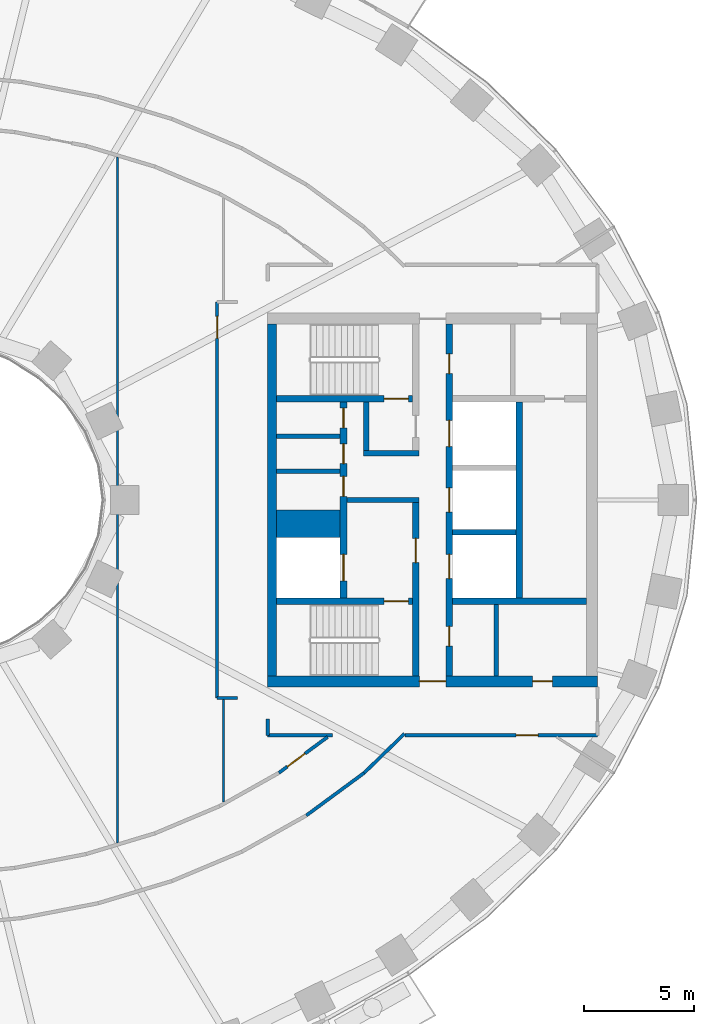
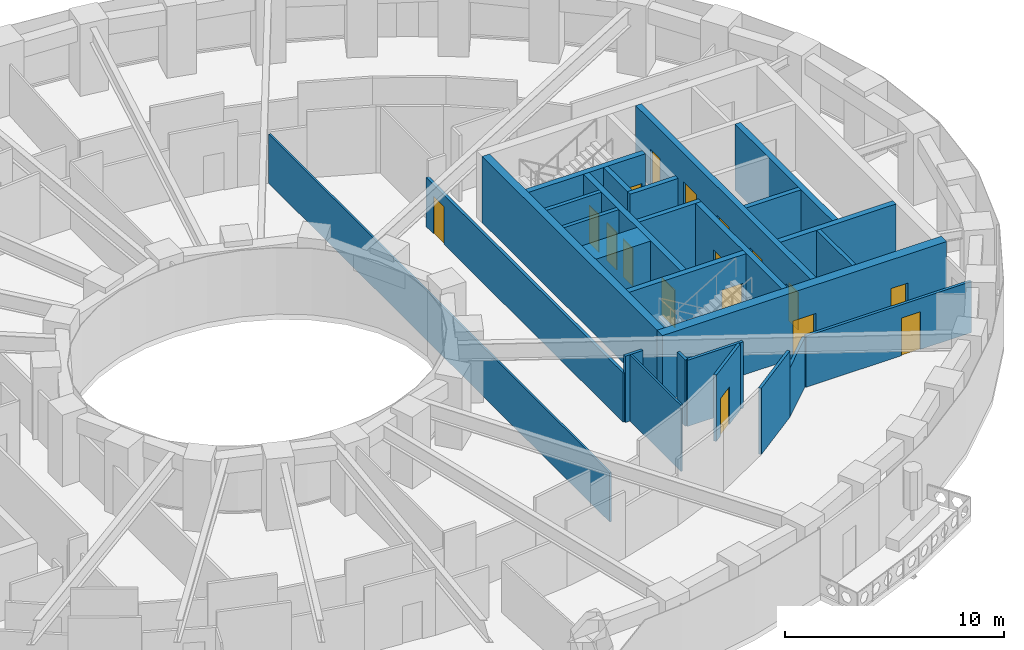
# One storey, part 5 of 16: 27 walls, 17 doors, 17 openings.
"""IFC4 building model written with IfcOpenShell, lengths in metres."""

from ifc_helpers import new_model, si_unit, direction, frame, frame_2d, origin, place, context, subcontext, project, spatial, rectangle, extrude, material, layer, layer_set, type_object, element, fill, save


model = new_model("IFC4")

# Units and contexts
model_context = context("Model", 3, precision=1e-05, world=origin(), true_north=direction((0.0, 1.0)))
body_context = subcontext(model_context, "Body", "Model", "MODEL_VIEW")
ifc_project = project(units=[si_unit("LENGTHUNIT", "METRE"), si_unit("AREAUNIT", "SQUARE_METRE"), si_unit("VOLUMEUNIT", "CUBIC_METRE"), si_unit("PLANEANGLEUNIT", "RADIAN"), si_unit("MASSUNIT", "GRAM", prefix="KILO")], contexts=[model_context])

# Site, building, storey
site_placement = place(None, origin())
site = spatial("IfcSite", under=ifc_project, at=site_placement, CompositionType="ELEMENT")
building_placement = place(site_placement, origin())
building = spatial("IfcBuilding", under=site, at=building_placement, Name="Noorbagh Ring Tower", CompositionType="ELEMENT")
storey_placement = place(building_placement, frame((0.0, 0.0, 74.5)))
storey = spatial("IfcBuildingStorey", under=building, at=storey_placement, Name="L16", CompositionType="ELEMENT", Elevation=74.5)

# Walls
ifc_material_1 = material(Name="Gypsum board on steel studs", Category="steel")
ifc_layer_1 = layer(ifc_material_1, 0.199951171875)
ifc_layer_set_1 = layer_set([ifc_layer_1], Name="Gypsum board on steel studs")
wall_type_1 = type_object("IfcWallType", Name="CORE-PARTITION-200", PredefinedType="PARTITIONING", material=ifc_layer_set_1)
for number, where, z_axis, x_axis, name in (
    (1, (16.89990234375, 1.300048828125, 0.0), (0.0, 0.0, 1.0), (1.0, 0.0, 0.0), "Core partition E"),
    (2, (16.89990234375, 2.89990234375, 0.0), (0.0, 0.0, 1.0), (1.0, 0.0, 0.0), "Core partition E"),
):
    element("IfcWall", number, at=place(storey_placement, frame(where, z_axis=z_axis, x_axis=x_axis)), inside=storey, type_object=wall_type_1, Name=name, PredefinedType="PARTITIONING", context=body_context, shape_type="SweptSolid", body=[
        extrude(rectangle(XDim=2.900146484375, YDim=0.199951171875, at=frame_2d((1.4501953125, 0.0))), origin(), (0.0, 0.0, 1.0), 3.699951171875),
    ])
wall_1_placement = place(storey_placement, frame((26.89990234375, -8.0, 0.0), z_axis=(0.0, 0.0, 1.0), x_axis=(0.0, 1.0, 0.0)))
element("IfcWall", 3, at=wall_1_placement, inside=storey, type_object=wall_type_1, Name="Core partition E", PredefinedType="PARTITIONING", context=body_context, shape_type="SweptSolid", body=[
    extrude(rectangle(XDim=3.25, YDim=0.199951171875, at=frame_2d((1.625, 0.0))), origin(), (0.0, 0.0, 1.0), 3.699951171875),
])
ifc_material_2 = material(Name="Concrete C70/85", Category="concrete")
ifc_layer_2 = layer(ifc_material_2, 1.25)
ifc_layer_set_2 = layer_set([ifc_layer_2], Name="Concrete C70/85")
wall_type_2 = type_object("IfcWallType", Name="CORE-WALL-1250-C70-85-EI120", PredefinedType="SHEAR", material=ifc_layer_set_2)
wall_2_placement = place(storey_placement, frame((16.89990234375, -1.074951171875, 0.0), z_axis=(0.0, 0.0, 1.0), x_axis=(1.0, 0.0, 0.0)))
element("IfcWall", 4, at=wall_2_placement, inside=storey, type_object=wall_type_2, Name="Core wall E", PredefinedType="SHEAR", context=body_context, shape_type="SweptSolid", body=[
    extrude(rectangle(XDim=2.900146484375, YDim=1.25, at=frame_2d((1.4501953125, 0.0))), origin(), (0.0, 0.0, 1.0), 3.699951171875),
])
ifc_material_3 = material(Name="Concrete C70/85", Category="concrete")
ifc_layer_3 = layer(ifc_material_3, 0.25)
ifc_layer_set_3 = layer_set([ifc_layer_3], Name="Concrete C70/85")
wall_type_3 = type_object("IfcWallType", Name="CORE-WALL-250-C70-85-EI120", PredefinedType="SHEAR", material=ifc_layer_set_3)
wall_3_placement = place(storey_placement, frame((24.89990234375, -1.47509765625, 0.0), z_axis=(0.0, 0.0, 1.0), x_axis=(1.0, 0.0, 0.0)))
element("IfcWall", 5, at=wall_3_placement, inside=storey, type_object=wall_type_3, Name="Core wall E", PredefinedType="SHEAR", context=body_context, shape_type="SweptSolid", body=[
    extrude(rectangle(XDim=2.900146484375, YDim=0.25, at=frame_2d((1.4501953125, 0.0))), origin(), (0.0, 0.0, 1.0), 3.699951171875),
])
ifc_material_4 = material(Name="Concrete C70/85", Category="concrete")
ifc_layer_4 = layer(ifc_material_4, 0.25)
ifc_layer_set_4 = layer_set([ifc_layer_4], Name="Concrete C70/85")
wall_type_4 = type_object("IfcWallType", Name="CORE-WALL-250-C70-85-EI240", PredefinedType="SHEAR", material=ifc_layer_set_4)
wall_4_placement = place(storey_placement, frame((20.10009765625, 0.0, 0.0), z_axis=(0.0, 0.0, 1.0), x_axis=(1.0, 0.0, 0.0)))
element("IfcWall", 6, at=wall_4_placement, inside=storey, type_object=wall_type_4, Name="Core wall E", PredefinedType="SHEAR", context=body_context, shape_type="SweptSolid", body=[
    extrude(rectangle(XDim=3.27978515625, YDim=0.25, at=frame_2d((1.639892578125, 0.0))), origin(), (0.0, 0.0, 1.0), 3.699951171875),
])
wall_5_placement = place(storey_placement, frame((20.85009765625, 2.125, 0.0), z_axis=(0.0, 0.0, 1.0), x_axis=(1.0, 0.0, 0.0)))
element("IfcWall", 7, at=wall_5_placement, inside=storey, type_object=wall_type_4, Name="Core wall E", PredefinedType="SHEAR", context=body_context, shape_type="SweptSolid", body=[
    extrude(rectangle(XDim=2.52978515625, YDim=0.25, at=frame_2d((1.264892578125, 0.0))), origin(), (0.0, 0.0, 1.0), 3.699951171875),
])
wall_6_placement = place(storey_placement, frame((20.97509765625, 2.25, 0.0), z_axis=(0.0, 0.0, 1.0), x_axis=(0.0, 1.0, 0.0)))
element("IfcWall", 8, at=wall_6_placement, inside=storey, type_object=wall_type_4, Name="Core wall E", PredefinedType="SHEAR", context=body_context, shape_type="SweptSolid", body=[
    extrude(rectangle(XDim=2.199951171875, YDim=0.25, at=frame_2d((1.10009765625, 0.0))), origin(), (0.0, 0.0, 1.0), 3.699951171875),
])
ifc_material_5 = material(Name="Concrete C70/85", Category="concrete")
ifc_layer_5 = layer(ifc_material_5, 0.300048828125)
ifc_layer_set_5 = layer_set([ifc_layer_5], Name="Concrete C70/85")
wall_type_5 = type_object("IfcWallType", Name="CORE-WALL-300-C70-85-EI120", PredefinedType="SHEAR", material=ifc_layer_set_5)
wall_7_placement = place(storey_placement, frame((27.949951171875, -4.449951171875, 0.0), z_axis=(0.0, 0.0, 1.0), x_axis=(0.0, 1.0, 0.0)))
element("IfcWall", 9, at=wall_7_placement, inside=storey, type_object=wall_type_5, Name="Core wall E", PredefinedType="SHEAR", context=body_context, shape_type="SweptSolid", body=[
    extrude(rectangle(XDim=8.89990234375, YDim=0.300048828125, at=frame_2d((4.449951171875, 0.0))), origin(), (0.0, 0.0, 1.0), 3.699951171875),
])

# Wall, openings, doors
wall_8_placement = place(storey_placement, frame((19.949951171875, -4.449951171875, 0.0), z_axis=(0.0, 0.0, 1.0), x_axis=(0.0, 1.0, 0.0)))
wall_8 = element("IfcWall", 10, at=wall_8_placement, inside=storey, type_object=wall_type_5, Name="Core wall E", PredefinedType="SHEAR", context=body_context, shape_type="SweptSolid", body=[
    extrude(rectangle(XDim=8.89990234375, YDim=0.300048828125, at=frame_2d((4.449951171875, 0.0))), origin(), (0.0, 0.0, 1.0), 3.699951171875),
])
opening_1_placement = place(wall_8_placement, frame((0.77490234375, 0.0, 0.0)))
opening_1 = element("IfcOpeningElement", 11, at=opening_1_placement, cuts=wall_8, Name="Opening L16-CE01", PredefinedType="OPENING", context=body_context, shape_type="SweptSolid", body=[
    extrude(rectangle(XDim=1.199951171875, YDim=2.10009765625, at=frame_2d((0.60009765625, 1.050048828125))), frame((0.0, 0.16015625, 0.0), z_axis=(0.0, -1.0, 0.0), x_axis=(1.0, 0.0, 0.0)), (0.0, 0.0, 1.0), 0.320068359375),
])
opening_2_placement = place(wall_8_placement, frame((4.6201171875, 0.0, 0.0)))
opening_2 = element("IfcOpeningElement", 12, at=opening_2_placement, cuts=wall_8, Name="Opening L16-CE11", PredefinedType="OPENING", context=body_context, shape_type="SweptSolid", body=[
    extrude(rectangle(XDim=0.89990234375, YDim=2.10009765625, at=frame_2d((0.449951171875, 1.050048828125))), frame((0.0, 0.16015625, 0.0), z_axis=(0.0, -1.0, 0.0), x_axis=(1.0, 0.0, 0.0)), (0.0, 0.0, 1.0), 0.320068359375),
])
opening_3_placement = place(wall_8_placement, frame((6.10009765625, 0.0, 0.0)))
opening_3 = element("IfcOpeningElement", 13, at=opening_3_placement, cuts=wall_8, Name="Opening L16-CE12", PredefinedType="OPENING", context=body_context, shape_type="SweptSolid", body=[
    extrude(rectangle(XDim=0.89990234375, YDim=2.10009765625, at=frame_2d((0.449951171875, 1.050048828125))), frame((0.0, 0.16015625, 0.0), z_axis=(0.0, -1.0, 0.0), x_axis=(1.0, 0.0, 0.0)), (0.0, 0.0, 1.0), 0.320068359375),
])
opening_4_placement = place(wall_8_placement, frame((7.72509765625, 0.0, 0.0)))
opening_4 = element("IfcOpeningElement", 14, at=opening_4_placement, cuts=wall_8, Name="Opening L16-CE13", PredefinedType="OPENING", context=body_context, shape_type="SweptSolid", body=[
    extrude(rectangle(XDim=0.89990234375, YDim=2.10009765625, at=frame_2d((0.449951171875, 1.050048828125))), frame((0.0, 0.16015625, 0.0), z_axis=(0.0, -1.0, 0.0), x_axis=(1.0, 0.0, 0.0)), (0.0, 0.0, 1.0), 0.320068359375),
])
ifc_material_6 = material(Name="Steel door leaf", Category="steel")
door_type_1 = type_object("IfcDoorType", Name="CORE-DOOR-DROOM", OperationType="SINGLE_SWING_LEFT", PredefinedType="DOOR", material=ifc_material_6)
door_1_placement = place(opening_2_placement, origin())
door_1 = element("IfcDoor", 15, at=door_1_placement, inside=storey, type_object=door_type_1, Name="Core room door L16-CE11", OperationType="SINGLE_SWING_LEFT", OverallHeight=2.10009765625, OverallWidth=0.89990234375, PredefinedType="DOOR", context=body_context, shape_type="SweptSolid", body=[
    extrude(rectangle(XDim=0.89990234375, YDim=2.10009765625, at=frame_2d((0.449951171875, 1.050048828125))), frame((0.0, 0.02490234375, 0.0), z_axis=(0.0, -1.0, 0.0), x_axis=(1.0, 0.0, 0.0)), (0.0, 0.0, 1.0), 0.050048828125),
])
fill(opening_2, door_1)
door_2_placement = place(opening_3_placement, origin())
door_2 = element("IfcDoor", 16, at=door_2_placement, inside=storey, type_object=door_type_1, Name="Core room door L16-CE12", OperationType="SINGLE_SWING_RIGHT", OverallHeight=2.10009765625, OverallWidth=0.89990234375, PredefinedType="DOOR", context=body_context, shape_type="SweptSolid", body=[
    extrude(rectangle(XDim=0.89990234375, YDim=2.10009765625, at=frame_2d((0.449951171875, 1.050048828125))), frame((0.0, 0.02490234375, 0.0), z_axis=(0.0, -1.0, 0.0), x_axis=(1.0, 0.0, 0.0)), (0.0, 0.0, 1.0), 0.050048828125),
])
fill(opening_3, door_2)
door_3_placement = place(opening_4_placement, origin())
door_3 = element("IfcDoor", 17, at=door_3_placement, inside=storey, type_object=door_type_1, Name="Core room door L16-CE13", OperationType="SINGLE_SWING_RIGHT", OverallHeight=2.10009765625, OverallWidth=0.89990234375, PredefinedType="DOOR", context=body_context, shape_type="SweptSolid", body=[
    extrude(rectangle(XDim=0.89990234375, YDim=2.10009765625, at=frame_2d((0.449951171875, 1.050048828125))), frame((0.0, 0.02490234375, 0.0), z_axis=(0.0, -1.0, 0.0), x_axis=(1.0, 0.0, 0.0)), (0.0, 0.0, 1.0), 0.050048828125),
])
fill(opening_4, door_3)
ifc_material_7 = material(Name="Steel door leaf", Category="steel")
door_type_2 = type_object("IfcDoorType", Name="CORE-DOOR-LDW", OperationType="DOUBLE_DOOR_SLIDING", PredefinedType="DOOR", material=ifc_material_7)
door_4_placement = place(opening_1_placement, origin())
door_4 = element("IfcDoor", 18, at=door_4_placement, inside=storey, type_object=door_type_2, Name="Landing door FF2 L16-CE01", OperationType="DOUBLE_DOOR_SLIDING", OverallHeight=2.10009765625, OverallWidth=1.199951171875, PredefinedType="DOOR", context=body_context, shape_type="SweptSolid", body=[
    extrude(rectangle(XDim=1.199951171875, YDim=2.10009765625, at=frame_2d((0.60009765625, 1.050048828125))), frame((0.0, 0.02490234375, 0.0), z_axis=(0.0, -1.0, 0.0), x_axis=(1.0, 0.0, 0.0)), (0.0, 0.0, 1.0), 0.050048828125),
])
fill(opening_1, door_4)

wall_9_placement = place(storey_placement, frame((24.75, -8.0, 0.0), z_axis=(0.0, 0.0, 1.0), x_axis=(0.0, 1.0, 0.0)))
wall_9 = element("IfcWall", 19, at=wall_9_placement, inside=storey, type_object=wall_type_5, Name="Core wall E", PredefinedType="SHEAR", context=body_context, shape_type="SweptSolid", body=[
    extrude(rectangle(XDim=16.0, YDim=0.300048828125, at=frame_2d((8.0, 0.0))), origin(), (0.0, 0.0, 1.0), 3.699951171875),
])
opening_5_placement = place(wall_9_placement, frame((4.425048828125, 0.0, 0.0)))
opening_5 = element("IfcOpeningElement", 20, at=opening_5_placement, cuts=wall_9, Name="Opening L16-CE02", PredefinedType="OPENING", context=body_context, shape_type="SweptSolid", body=[
    extrude(rectangle(XDim=1.10009765625, YDim=2.10009765625, at=frame_2d((0.550048828125, 1.050048828125))), frame((0.0, 0.16015625, 0.0), z_axis=(0.0, -1.0, 0.0), x_axis=(1.0, 0.0, 0.0)), (0.0, 0.0, 1.0), 0.320068359375),
])
opening_6_placement = place(wall_9_placement, frame((7.449951171875, 0.0, 0.0)))
opening_6 = element("IfcOpeningElement", 21, at=opening_6_placement, cuts=wall_9, Name="Opening L16-CE03", PredefinedType="OPENING", context=body_context, shape_type="SweptSolid", body=[
    extrude(rectangle(XDim=1.10009765625, YDim=2.10009765625, at=frame_2d((0.550048828125, 1.050048828125))), frame((0.0, 0.16015625, 0.0), z_axis=(0.0, -1.0, 0.0), x_axis=(1.0, 0.0, 0.0)), (0.0, 0.0, 1.0), 0.320068359375),
])
opening_7_placement = place(wall_9_placement, frame((10.425048828125, 0.0, 0.0)))
opening_7 = element("IfcOpeningElement", 22, at=opening_7_placement, cuts=wall_9, Name="Opening L16-CE04", PredefinedType="OPENING", context=body_context, shape_type="SweptSolid", body=[
    extrude(rectangle(XDim=1.199951171875, YDim=2.10009765625, at=frame_2d((0.60009765625, 1.050048828125))), frame((0.0, 0.16015625, 0.0), z_axis=(0.0, -1.0, 0.0), x_axis=(1.0, 0.0, 0.0)), (0.0, 0.0, 1.0), 0.320068359375),
])
opening_8_placement = place(wall_9_placement, frame((13.75, 0.0, 0.0)))
opening_8 = element("IfcOpeningElement", 23, at=opening_8_placement, cuts=wall_9, Name="Opening L16-CE14", PredefinedType="OPENING", context=body_context, shape_type="SweptSolid", body=[
    extrude(rectangle(XDim=0.89990234375, YDim=2.10009765625, at=frame_2d((0.449951171875, 1.050048828125))), frame((0.0, 0.16015625, 0.0), z_axis=(0.0, -1.0, 0.0), x_axis=(1.0, 0.0, 0.0)), (0.0, 0.0, 1.0), 0.320068359375),
])
opening_9_placement = place(wall_9_placement, frame((1.35009765625, 0.0, 0.0)))
opening_9 = element("IfcOpeningElement", 24, at=opening_9_placement, cuts=wall_9, Name="Opening L16-CE16", PredefinedType="OPENING", context=body_context, shape_type="SweptSolid", body=[
    extrude(rectangle(XDim=0.89990234375, YDim=2.10009765625, at=frame_2d((0.449951171875, 1.050048828125))), frame((0.0, 0.16015625, 0.0), z_axis=(0.0, -1.0, 0.0), x_axis=(1.0, 0.0, 0.0)), (0.0, 0.0, 1.0), 0.320068359375),
])
door_5_placement = place(opening_8_placement, origin())
door_5 = element("IfcDoor", 25, at=door_5_placement, inside=storey, type_object=door_type_1, Name="Core room door L16-CE14", OperationType="SINGLE_SWING_LEFT", OverallHeight=2.10009765625, OverallWidth=0.89990234375, PredefinedType="DOOR", context=body_context, shape_type="SweptSolid", body=[
    extrude(rectangle(XDim=0.89990234375, YDim=2.10009765625, at=frame_2d((0.449951171875, 1.050048828125))), frame((0.0, 0.02490234375, 0.0), z_axis=(0.0, -1.0, 0.0), x_axis=(1.0, 0.0, 0.0)), (0.0, 0.0, 1.0), 0.050048828125),
])
fill(opening_8, door_5)
door_6_placement = place(opening_9_placement, origin())
door_6 = element("IfcDoor", 26, at=door_6_placement, inside=storey, type_object=door_type_1, Name="Core room door L16-CE16", OperationType="SINGLE_SWING_RIGHT", OverallHeight=2.10009765625, OverallWidth=0.89990234375, PredefinedType="DOOR", context=body_context, shape_type="SweptSolid", body=[
    extrude(rectangle(XDim=0.89990234375, YDim=2.10009765625, at=frame_2d((0.449951171875, 1.050048828125))), frame((0.0, 0.02490234375, 0.0), z_axis=(0.0, -1.0, 0.0), x_axis=(1.0, 0.0, 0.0)), (0.0, 0.0, 1.0), 0.050048828125),
])
fill(opening_9, door_6)
ifc_material_8 = material(Name="Steel door leaf", Category="steel")
door_type_3 = type_object("IfcDoorType", Name="CORE-DOOR-LD", OperationType="DOUBLE_DOOR_SLIDING", PredefinedType="DOOR", material=ifc_material_8)
door_7_placement = place(opening_5_placement, origin())
door_7 = element("IfcDoor", 27, at=door_7_placement, inside=storey, type_object=door_type_3, Name="Landing door LR3 L16-CE02", OperationType="DOUBLE_DOOR_SLIDING", OverallHeight=2.10009765625, OverallWidth=1.10009765625, PredefinedType="DOOR", context=body_context, shape_type="SweptSolid", body=[
    extrude(rectangle(XDim=1.10009765625, YDim=2.10009765625, at=frame_2d((0.550048828125, 1.050048828125))), frame((0.0, 0.02490234375, 0.0), z_axis=(0.0, -1.0, 0.0), x_axis=(1.0, 0.0, 0.0)), (0.0, 0.0, 1.0), 0.050048828125),
])
fill(opening_5, door_7)
door_8_placement = place(opening_6_placement, origin())
door_8 = element("IfcDoor", 28, at=door_8_placement, inside=storey, type_object=door_type_3, Name="Landing door LR4 L16-CE03", OperationType="DOUBLE_DOOR_SLIDING", OverallHeight=2.10009765625, OverallWidth=1.10009765625, PredefinedType="DOOR", context=body_context, shape_type="SweptSolid", body=[
    extrude(rectangle(XDim=1.10009765625, YDim=2.10009765625, at=frame_2d((0.550048828125, 1.050048828125))), frame((0.0, 0.02490234375, 0.0), z_axis=(0.0, -1.0, 0.0), x_axis=(1.0, 0.0, 0.0)), (0.0, 0.0, 1.0), 0.050048828125),
])
fill(opening_6, door_8)
door_9_placement = place(opening_7_placement, origin())
door_9 = element("IfcDoor", 29, at=door_9_placement, inside=storey, type_object=door_type_2, Name="Landing door SV2 L16-CE04", OperationType="DOUBLE_DOOR_SLIDING", OverallHeight=2.10009765625, OverallWidth=1.199951171875, PredefinedType="DOOR", context=body_context, shape_type="SweptSolid", body=[
    extrude(rectangle(XDim=1.199951171875, YDim=2.10009765625, at=frame_2d((0.60009765625, 1.050048828125))), frame((0.0, 0.02490234375, 0.0), z_axis=(0.0, -1.0, 0.0), x_axis=(1.0, 0.0, 0.0)), (0.0, 0.0, 1.0), 0.050048828125),
])
fill(opening_7, door_9)

# Wall
ifc_material_9 = material(Name="Concrete C70/85", Category="concrete")
ifc_layer_6 = layer(ifc_material_9, 0.300048828125)
ifc_layer_set_6 = layer_set([ifc_layer_6], Name="Concrete C70/85")
wall_type_6 = type_object("IfcWallType", Name="CORE-WALL-300-C70-85-EI240", PredefinedType="SHEAR", material=ifc_layer_set_6)
wall_10_placement = place(storey_placement, frame((24.89990234375, -4.60009765625, 0.0), z_axis=(0.0, 0.0, 1.0), x_axis=(1.0, 0.0, 0.0)))
element("IfcWall", 30, at=wall_10_placement, inside=storey, type_object=wall_type_6, Name="Core wall E", PredefinedType="SHEAR", context=body_context, shape_type="SweptSolid", body=[
    extrude(rectangle(XDim=6.10009765625, YDim=0.300048828125, at=frame_2d((3.050048828125, 0.0))), origin(), (0.0, 0.0, 1.0), 3.699951171875),
])

# Wall, opening, door
wall_11_placement = place(storey_placement, frame((23.22998046875, -8.0, 0.0), z_axis=(0.0, 0.0, 1.0), x_axis=(0.0, 1.0, 0.0)))
wall_11 = element("IfcWall", 31, at=wall_11_placement, inside=storey, type_object=wall_type_6, Name="Core wall E", PredefinedType="SHEAR", context=body_context, shape_type="SweptSolid", body=[
    extrude(rectangle(XDim=7.875, YDim=0.300048828125, at=frame_2d((3.9375, 0.0))), origin(), (0.0, 0.0, 1.0), 3.699951171875),
])
opening_10_placement = place(wall_11_placement, frame((5.14990234375, 0.0, 0.0)))
opening_10 = element("IfcOpeningElement", 32, at=opening_10_placement, cuts=wall_11, Name="Opening L16-CE07", PredefinedType="OPENING", context=body_context, shape_type="SweptSolid", body=[
    extrude(rectangle(XDim=1.10009765625, YDim=2.10009765625, at=frame_2d((0.550048828125, 1.050048828125))), frame((0.0, 0.16015625, 0.0), z_axis=(0.0, -1.0, 0.0), x_axis=(1.0, 0.0, 0.0)), (0.0, 0.0, 1.0), 0.320068359375),
])
ifc_material_10 = material(Name="Steel door leaf", Category="steel")
door_type_4 = type_object("IfcDoorType", Name="CORE-DOOR-DFF", OperationType="SINGLE_SWING_LEFT", PredefinedType="DOOR", material=ifc_material_10)
door_10_placement = place(opening_10_placement, origin())
door_10 = element("IfcDoor", 33, at=door_10_placement, inside=storey, type_object=door_type_4, Name="Firefighting lobby door L16-CE07", OperationType="SINGLE_SWING_RIGHT", OverallHeight=2.10009765625, OverallWidth=1.10009765625, PredefinedType="DOOR", context=body_context, shape_type="SweptSolid", body=[
    extrude(rectangle(XDim=1.10009765625, YDim=2.10009765625, at=frame_2d((0.550048828125, 1.050048828125))), frame((0.0, 0.02490234375, 0.0), z_axis=(0.0, -1.0, 0.0), x_axis=(1.0, 0.0, 0.0)), (0.0, 0.0, 1.0), 0.050048828125),
])
fill(opening_10, door_10)

wall_12_placement = place(storey_placement, frame((16.89990234375, 4.60009765625, 0.0), z_axis=(0.0, 0.0, 1.0), x_axis=(1.0, 0.0, 0.0)))
wall_12 = element("IfcWall", 34, at=wall_12_placement, inside=storey, type_object=wall_type_6, Name="Core wall E", PredefinedType="SHEAR", context=body_context, shape_type="SweptSolid", body=[
    extrude(rectangle(XDim=6.18017578125, YDim=0.300048828125, at=frame_2d((3.090087890625, 0.0))), origin(), (0.0, 0.0, 1.0), 3.699951171875),
])
opening_11_placement = place(wall_12_placement, frame((4.89990234375, 0.0, 0.0)))
opening_11 = element("IfcOpeningElement", 35, at=opening_11_placement, cuts=wall_12, Name="Opening L16-CE05", PredefinedType="OPENING", context=body_context, shape_type="SweptSolid", body=[
    extrude(rectangle(XDim=1.10009765625, YDim=2.10009765625, at=frame_2d((0.550048828125, 1.050048828125))), frame((0.0, 0.16015625, 0.0), z_axis=(0.0, -1.0, 0.0), x_axis=(1.0, 0.0, 0.0)), (0.0, 0.0, 1.0), 0.320068359375),
])
ifc_material_11 = material(Name="Steel door leaf", Category="steel")
door_type_5 = type_object("IfcDoorType", Name="CORE-DOOR-DSTAIR", OperationType="SINGLE_SWING_LEFT", PredefinedType="DOOR", material=ifc_material_11)
door_11_placement = place(opening_11_placement, origin())
door_11 = element("IfcDoor", 36, at=door_11_placement, inside=storey, type_object=door_type_5, Name="Stair door ST3 L16-CE05", OperationType="SINGLE_SWING_LEFT", OverallHeight=2.10009765625, OverallWidth=1.10009765625, PredefinedType="DOOR", context=body_context, shape_type="SweptSolid", body=[
    extrude(rectangle(XDim=1.10009765625, YDim=2.10009765625, at=frame_2d((0.550048828125, 1.050048828125))), frame((0.0, 0.02490234375, 0.0), z_axis=(0.0, -1.0, 0.0), x_axis=(1.0, 0.0, 0.0)), (0.0, 0.0, 1.0), 0.050048828125),
])
fill(opening_11, door_11)

wall_13_placement = place(storey_placement, frame((16.89990234375, -4.60009765625, 0.0), z_axis=(0.0, 0.0, 1.0), x_axis=(1.0, 0.0, 0.0)))
wall_13 = element("IfcWall", 37, at=wall_13_placement, inside=storey, type_object=wall_type_6, Name="Core wall E", PredefinedType="SHEAR", context=body_context, shape_type="SweptSolid", body=[
    extrude(rectangle(XDim=6.18017578125, YDim=0.300048828125, at=frame_2d((3.090087890625, 0.0))), origin(), (0.0, 0.0, 1.0), 3.699951171875),
])
opening_12_placement = place(wall_13_placement, frame((4.89990234375, 0.0, 0.0)))
opening_12 = element("IfcOpeningElement", 38, at=opening_12_placement, cuts=wall_13, Name="Opening L16-CE06", PredefinedType="OPENING", context=body_context, shape_type="SweptSolid", body=[
    extrude(rectangle(XDim=1.10009765625, YDim=2.10009765625, at=frame_2d((0.550048828125, 1.050048828125))), frame((0.0, 0.16015625, 0.0), z_axis=(0.0, -1.0, 0.0), x_axis=(1.0, 0.0, 0.0)), (0.0, 0.0, 1.0), 0.320068359375),
])
door_12_placement = place(opening_12_placement, origin())
door_12 = element("IfcDoor", 39, at=door_12_placement, inside=storey, type_object=door_type_5, Name="Stair door ST4 L16-CE06", OperationType="SINGLE_SWING_RIGHT", OverallHeight=2.10009765625, OverallWidth=1.10009765625, PredefinedType="DOOR", context=body_context, shape_type="SweptSolid", body=[
    extrude(rectangle(XDim=1.10009765625, YDim=2.10009765625, at=frame_2d((0.550048828125, 1.050048828125))), frame((0.0, 0.02490234375, 0.0), z_axis=(0.0, -1.0, 0.0), x_axis=(1.0, 0.0, 0.0)), (0.0, 0.0, 1.0), 0.050048828125),
])
fill(opening_12, door_12)

# Wall
ifc_material_12 = material(Name="Concrete C70/85", Category="concrete")
ifc_layer_7 = layer(ifc_material_12, 0.39990234375)
ifc_layer_set_7 = layer_set([ifc_layer_7], Name="Concrete C70/85")
wall_type_7 = type_object("IfcWallType", Name="CORE-WALL-400-C70-85-EI240", PredefinedType="SHEAR", material=ifc_layer_set_7)
wall_14_placement = place(storey_placement, frame((16.699951171875, -8.0, 0.0), z_axis=(0.0, 0.0, 1.0), x_axis=(0.0, 1.0, 0.0)))
element("IfcWall", 40, at=wall_14_placement, inside=storey, type_object=wall_type_7, Name="Core wall E", PredefinedType="SHEAR", context=body_context, shape_type="SweptSolid", body=[
    extrude(rectangle(XDim=16.0, YDim=0.39990234375, at=frame_2d((8.0, 0.0))), origin(), (0.0, 0.0, 1.0), 3.699951171875),
])

# Wall, openings, doors
ifc_material_13 = material(Name="Concrete C70/85", Category="concrete")
ifc_layer_8 = layer(ifc_material_13, 0.5)
ifc_layer_set_8 = layer_set([ifc_layer_8], Name="Concrete C70/85")
wall_type_8 = type_object("IfcWallType", Name="CORE-WALL-500-C70-85-EI240", PredefinedType="SHEAR", material=ifc_layer_set_8)
wall_15_placement = place(storey_placement, frame((16.5, -8.25, 0.0), z_axis=(0.0, 0.0, 1.0), x_axis=(1.0, 0.0, 0.0)))
wall_15 = element("IfcWall", 41, at=wall_15_placement, inside=storey, type_object=wall_type_8, Name="Core wall E", PredefinedType="SHEAR", context=body_context, shape_type="SweptSolid", body=[
    extrude(rectangle(XDim=15.0, YDim=0.5, at=frame_2d((7.5, 0.0))), origin(), (0.0, 0.0, 1.0), 3.699951171875),
])
opening_13_placement = place(wall_15_placement, frame((6.89990234375, 0.0, 0.0)))
opening_13 = element("IfcOpeningElement", 42, at=opening_13_placement, cuts=wall_15, Name="Opening L16-CE10", PredefinedType="OPENING", context=body_context, shape_type="SweptSolid", body=[
    extrude(rectangle(XDim=1.199951171875, YDim=2.10009765625, at=frame_2d((0.60009765625, 1.050048828125))), frame((0.0, 0.260009765625, 0.0), z_axis=(0.0, -1.0, 0.0), x_axis=(1.0, 0.0, 0.0)), (0.0, 0.0, 1.0), 0.52001953125),
])
opening_14_placement = place(wall_15_placement, frame((12.050048828125, 0.0, 0.0)))
opening_14 = element("IfcOpeningElement", 43, at=opening_14_placement, cuts=wall_15, Name="Opening L16-CE17", PredefinedType="OPENING", context=body_context, shape_type="SweptSolid", body=[
    extrude(rectangle(XDim=0.89990234375, YDim=2.10009765625, at=frame_2d((0.449951171875, 1.050048828125))), frame((0.0, 0.260009765625, 0.0), z_axis=(0.0, -1.0, 0.0), x_axis=(1.0, 0.0, 0.0)), (0.0, 0.0, 1.0), 0.52001953125),
])
door_13_placement = place(opening_14_placement, origin())
door_13 = element("IfcDoor", 44, at=door_13_placement, inside=storey, type_object=door_type_1, Name="Core room door L16-CE17", OperationType="SINGLE_SWING_RIGHT", OverallHeight=2.10009765625, OverallWidth=0.89990234375, PredefinedType="DOOR", context=body_context, shape_type="SweptSolid", body=[
    extrude(rectangle(XDim=0.89990234375, YDim=2.10009765625, at=frame_2d((0.449951171875, 1.050048828125))), frame((0.0, 0.02490234375, 0.0), z_axis=(0.0, -1.0, 0.0), x_axis=(1.0, 0.0, 0.0)), (0.0, 0.0, 1.0), 0.050048828125),
])
fill(opening_14, door_13)
ifc_material_14 = material(Name="Steel door leaf", Category="steel")
door_type_6 = type_object("IfcDoorType", Name="CORE-DOOR-PORT", OperationType="DOUBLE_DOOR_DOUBLE_SWING", PredefinedType="DOOR", material=ifc_material_14)
door_14_placement = place(opening_13_placement, origin())
door_14 = element("IfcDoor", 45, at=door_14_placement, inside=storey, type_object=door_type_6, Name="Core entrance door L16-CE10", OperationType="DOUBLE_DOOR_DOUBLE_SWING", OverallHeight=2.10009765625, OverallWidth=1.199951171875, PredefinedType="DOOR", context=body_context, shape_type="SweptSolid", body=[
    extrude(rectangle(XDim=1.199951171875, YDim=2.10009765625, at=frame_2d((0.60009765625, 1.050048828125))), frame((0.0, 0.02490234375, 0.0), z_axis=(0.0, -1.0, 0.0), x_axis=(1.0, 0.0, 0.0)), (0.0, 0.0, 1.0), 0.050048828125),
])
fill(opening_13, door_14)

# Wall, opening, door
ifc_material_15 = material(Name="Gypsum board on steel studs", Category="steel")
ifc_layer_9 = layer(ifc_material_15, 0.14990234375)
ifc_layer_set_9 = layer_set([ifc_layer_9], Name="Gypsum board on steel studs")
wall_type_9 = type_object("IfcWallType", Name="CORRIDOR PARTITION 150 EI 30", PredefinedType="PARTITIONING", material=ifc_layer_set_9)
wall_16_placement = place(storey_placement, frame((14.199951171875, -9.0, 0.0), z_axis=(0.0, 0.0, 1.0), x_axis=(0.0, 1.0, 0.0)))
wall_16 = element("IfcWall", 46, at=wall_16_placement, inside=storey, type_object=wall_type_9, Name="L16/wall/P82", PredefinedType="PARTITIONING", context=body_context, shape_type="SweptSolid", body=[
    extrude(rectangle(XDim=18.0, YDim=0.14990234375, at=frame_2d((9.0, 0.0))), origin(), (0.0, 0.0, 1.0), 2.75),
])
opening_15_placement = place(wall_16_placement, frame((16.35009765625, 0.0, 0.0)))
opening_15 = element("IfcOpeningElement", 47, at=opening_15_placement, cuts=wall_16, Name="Opening D1", PredefinedType="OPENING", context=body_context, shape_type="SweptSolid", body=[
    extrude(rectangle(XDim=1.0, YDim=2.10009765625, at=frame_2d((0.5, 1.050048828125))), frame((0.0, 0.0849609375, 0.0), z_axis=(0.0, -1.0, 0.0), x_axis=(1.0, 0.0, 0.0)), (0.0, 0.0, 1.0), 0.169921875),
])
ifc_material_16 = material(Name="Timber, painted", Category="wood")
door_type_7 = type_object("IfcDoorType", Name="DOOR 1000 X 2100 FD30", OperationType="SINGLE_SWING_LEFT", PredefinedType="DOOR", material=ifc_material_16)
door_15_placement = place(opening_15_placement, origin())
door_15 = element("IfcDoor", 48, at=door_15_placement, inside=storey, type_object=door_type_7, Name="L16-D19", OperationType="SINGLE_SWING_LEFT", OverallHeight=2.10009765625, OverallWidth=1.0, PredefinedType="DOOR", context=body_context, shape_type="SweptSolid", body=[
    extrude(rectangle(XDim=1.0, YDim=2.10009765625, at=frame_2d((0.5, 1.050048828125))), frame((0.0, 0.02490234375, 0.0), z_axis=(0.0, -1.0, 0.0), x_axis=(1.0, 0.0, 0.0)), (0.0, 0.0, 1.0), 0.050048828125),
])
fill(opening_15, door_15)

# Walls
wall_17_placement = place(storey_placement, frame((14.199951171875, -9.0, 0.0), z_axis=(0.0, 0.0, 1.0), x_axis=(1.0, 0.0, 0.0)))
element("IfcWall", 49, at=wall_17_placement, inside=storey, type_object=wall_type_9, Name="L16/wall/P83", PredefinedType="PARTITIONING", context=body_context, shape_type="SweptSolid", body=[
    extrude(rectangle(XDim=0.93408203125, YDim=0.14990234375, at=frame_2d((0.467041015625, 0.0))), origin(), (0.0, 0.0, 1.0), 3.699951171875),
])
wall_18_placement = place(storey_placement, frame((16.5, -10.699951171875, 0.0), z_axis=(0.0, 0.0, 1.0), x_axis=(0.0, 1.0, 0.0)))
element("IfcWall", 50, at=wall_18_placement, inside=storey, type_object=wall_type_9, Name="L16/wall/P91", PredefinedType="PARTITIONING", context=body_context, shape_type="SweptSolid", body=[
    extrude(rectangle(XDim=0.73583984375, YDim=0.14990234375, at=frame_2d((0.367919921875, 0.0))), origin(), (0.0, 0.0, 1.0), 3.699951171875),
])
wall_19_placement = place(storey_placement, frame((16.5, -10.699951171875, 0.0), z_axis=(0.0, 0.0, 1.0), x_axis=(1.0, 0.0, 0.0)))
element("IfcWall", 51, at=wall_19_placement, inside=storey, type_object=wall_type_9, Name="L16/wall/P92", PredefinedType="PARTITIONING", context=body_context, shape_type="SweptSolid", body=[
    extrude(rectangle(XDim=2.95703125, YDim=0.14990234375, at=frame_2d((1.478515625, 0.0))), origin(), (0.0, 0.0, 1.0), 3.699951171875),
])

# Wall, opening, door
wall_20_placement = place(storey_placement, frame((17.010009765625, -12.407958984375, 0.0), z_axis=(0.0, 0.0, 1.0), x_axis=(0.805276342361, 0.592899664728, 0.0)))
wall_20 = element("IfcWall", 52, at=wall_20_placement, inside=storey, type_object=wall_type_9, Name="L16/wall/P95", PredefinedType="PARTITIONING", context=body_context, shape_type="SweptSolid", body=[
    extrude(rectangle(XDim=2.75439453125, YDim=0.14990234375, at=frame_2d((1.377197265625, 0.0))), origin(), (0.0, 0.0, 1.0), 3.699951171875),
])
opening_16_placement = place(wall_20_placement, frame((0.48095703125, 0.0, 0.0)))
opening_16 = element("IfcOpeningElement", 53, at=opening_16_placement, cuts=wall_20, Name="Opening D1", PredefinedType="OPENING", context=body_context, shape_type="SweptSolid", body=[
    extrude(rectangle(XDim=1.0, YDim=2.10009765625, at=frame_2d((0.5, 1.050048828125))), frame((0.0, 0.0849609375, 0.0), z_axis=(0.0, -1.0, 0.0), x_axis=(1.0, 0.0, 0.0)), (0.0, 0.0, 1.0), 0.169921875),
])
door_16_placement = place(opening_16_placement, origin())
door_16 = element("IfcDoor", 54, at=door_16_placement, inside=storey, type_object=door_type_7, Name="L16-D20", OperationType="SINGLE_SWING_RIGHT", OverallHeight=2.10009765625, OverallWidth=1.0, PredefinedType="DOOR", context=body_context, shape_type="SweptSolid", body=[
    extrude(rectangle(XDim=1.0, YDim=2.10009765625, at=frame_2d((0.5, 1.050048828125))), frame((0.0, 0.02490234375, 0.0), z_axis=(0.0, -1.0, 0.0), x_axis=(1.0, 0.0, 0.0)), (0.0, 0.0, 1.0), 0.050048828125),
])
fill(opening_16, door_16)

# Walls
wall_21_placement = place(storey_placement, frame((18.260009765625, -14.343994140625, 0.0), z_axis=(0.0, 0.0, 1.0), x_axis=(0.805303685339, 0.592862525701, 0.0)))
element("IfcWall", 55, at=wall_21_placement, inside=storey, type_object=wall_type_9, Name="L16/wall/P97", PredefinedType="PARTITIONING", context=body_context, shape_type="SweptSolid", body=[
    extrude(rectangle(XDim=3.267333984375, YDim=0.14990234375, at=frame_2d((1.6337890625, 0.0))), origin(), (0.0, 0.0, 1.0), 3.699951171875),
])
wall_22_placement = place(storey_placement, frame((20.89111328125, -12.406982421875, 0.0), z_axis=(0.0, 0.0, 1.0), x_axis=(0.71701613235, 0.697056572991, 0.0)))
element("IfcWall", 56, at=wall_22_placement, inside=storey, type_object=wall_type_9, Name="L16/wall/P99", PredefinedType="PARTITIONING", context=body_context, shape_type="SweptSolid", body=[
    extrude(rectangle(XDim=2.556396484375, YDim=0.14990234375, at=frame_2d((1.2783203125, 0.0))), origin(), (0.0, 0.0, 1.0), 2.75),
])

# Wall, opening, door
wall_23_placement = place(storey_placement, frame((22.7548828125, -10.699951171875, 0.0), z_axis=(0.0, 0.0, 1.0), x_axis=(1.0, 0.0, 0.0)))
wall_23 = element("IfcWall", 57, at=wall_23_placement, inside=storey, type_object=wall_type_9, Name="L16/wall/P101", PredefinedType="PARTITIONING", context=body_context, shape_type="SweptSolid", body=[
    extrude(rectangle(XDim=8.7451171875, YDim=0.14990234375, at=frame_2d((4.37255859375, 0.0))), origin(), (0.0, 0.0, 1.0), 2.85009765625),
])
opening_17_placement = place(wall_23_placement, frame((5.0419921875, 0.0, 0.0)))
opening_17 = element("IfcOpeningElement", 58, at=opening_17_placement, cuts=wall_23, Name="Opening D1", PredefinedType="OPENING", context=body_context, shape_type="SweptSolid", body=[
    extrude(rectangle(XDim=1.0, YDim=2.10009765625, at=frame_2d((0.5, 1.050048828125))), frame((0.0, 0.0849609375, 0.0), z_axis=(0.0, -1.0, 0.0), x_axis=(1.0, 0.0, 0.0)), (0.0, 0.0, 1.0), 0.169921875),
])
door_17_placement = place(opening_17_placement, origin())
door_17 = element("IfcDoor", 59, at=door_17_placement, inside=storey, type_object=door_type_7, Name="L16-D12", OperationType="SINGLE_SWING_RIGHT", OverallHeight=2.10009765625, OverallWidth=1.0, PredefinedType="DOOR", context=body_context, shape_type="SweptSolid", body=[
    extrude(rectangle(XDim=1.0, YDim=2.10009765625, at=frame_2d((0.5, 1.050048828125))), frame((0.0, 0.02490234375, 0.0), z_axis=(0.0, -1.0, 0.0), x_axis=(1.0, 0.0, 0.0)), (0.0, 0.0, 1.0), 0.050048828125),
])
fill(opening_17, door_17)

# Walls
ifc_material_17 = material(Name="Gypsum board on steel studs", Category="steel")
ifc_layer_10 = layer(ifc_material_17, 0.10009765625)
ifc_layer_set_10 = layer_set([ifc_layer_10], Name="Gypsum board on steel studs")
wall_type_10 = type_object("IfcWallType", Name="PARTITION 100 GYPSUM", PredefinedType="PARTITIONING", material=ifc_layer_set_10)
wall_24_placement = place(storey_placement, frame((9.6650390625, -15.591064453125, 0.0), z_axis=(0.0, 0.0, 1.0), x_axis=(0.0, 1.0, 0.0)))
element("IfcWall", 60, at=wall_24_placement, inside=storey, type_object=wall_type_10, Name="L16/wall/P77", PredefinedType="PARTITIONING", context=body_context, shape_type="SweptSolid", body=[
    extrude(rectangle(XDim=31.18212890625, YDim=0.10009765625, at=frame_2d((15.591064453125, 0.0))), origin(), (0.0, 0.0, 1.0), 2.75),
])
wall_25_placement = place(storey_placement, frame((14.4970703125, -13.72900390625, 0.0), z_axis=(0.0, 0.0, 1.0), x_axis=(0.0, 1.0, 0.0)))
element("IfcWall", 61, at=wall_25_placement, inside=storey, type_object=wall_type_10, Name="L16/wall/P87", PredefinedType="PARTITIONING", context=body_context, shape_type="SweptSolid", body=[
    extrude(rectangle(XDim=4.654052734375, YDim=0.10009765625, at=frame_2d((2.3271484375, 0.0))), origin(), (0.0, 0.0, 1.0), 3.699951171875),
])

save(model, "model.ifc")
